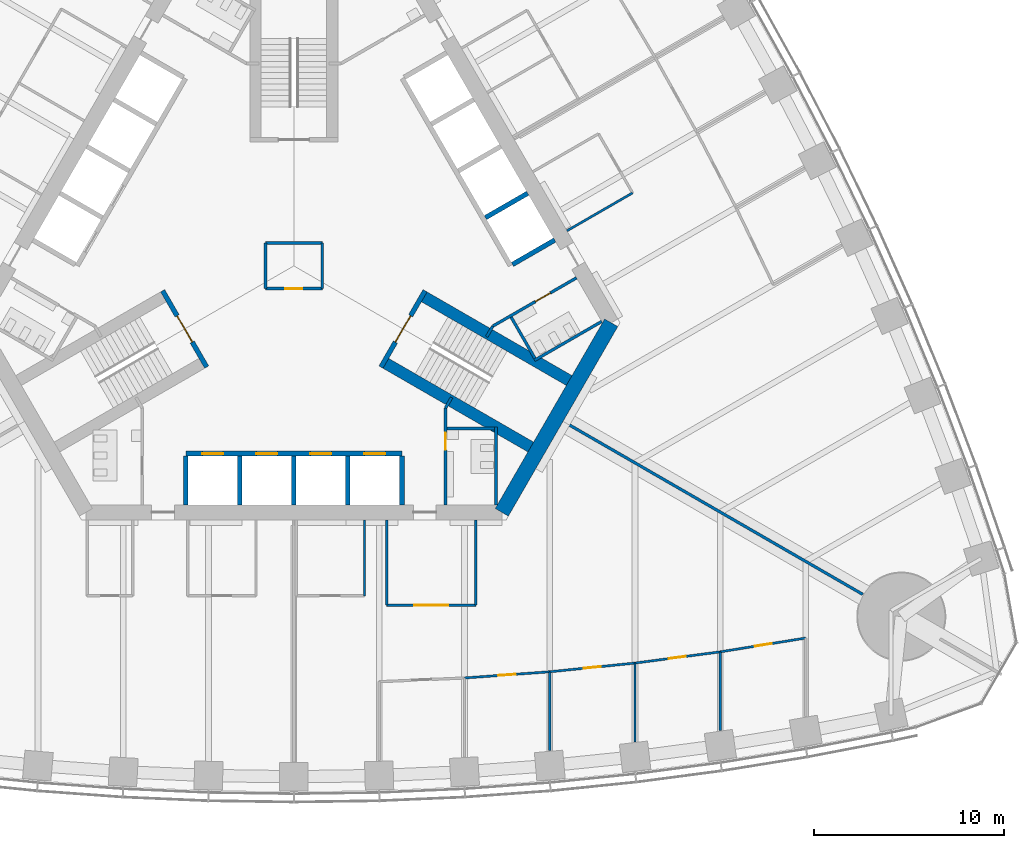
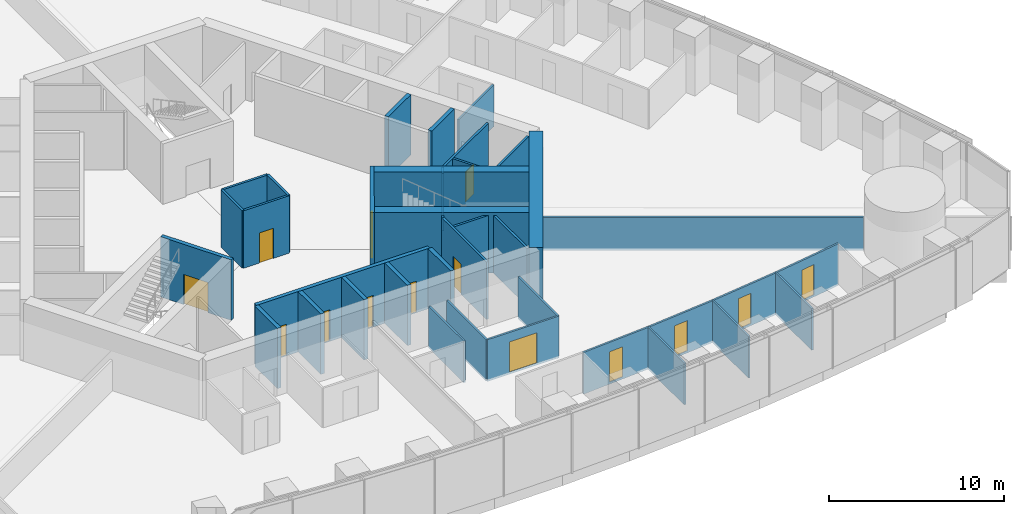
# One storey, part 11 of 19: 38 walls, 14 doors, 14 openings.
"""IFC4 building model written with IfcOpenShell, lengths in metres."""

import ifcopenshell
import ifcopenshell.guid

model = None  # the IFC model being written
_history = None  # IfcOwnerHistory: only IFC2X3 demands one
_inside = {}  # id of a spatial element -> (the spatial element, [elements in it])
_under = {}  # id of a project, library or spatial element -> (it, [spatial elements below it])
_declared = {}  # id of a project -> (the project, [libraries it declares])
_typed = {}  # id of a type object -> (the type object, [elements of that type])
_made_of = {}  # id of a material, layer set ... -> (it, [elements and type objects made of it])


def new_model(schema):
    """Start an empty IFC model of exactly this schema.

    Asked for "IFC4X3", IfcOpenShell would pick the latest addendum, in which some entities
    have other attributes; the version numbers below select the first issue.
    IFC2X3 requires an IfcOwnerHistory on every rooted entity: one is made here for all.
    """
    global model, _history
    if schema == "IFC4X3":
        model = ifcopenshell.file(schema_version=(4, 3, 0, 0))
    else:
        model = ifcopenshell.file(schema=schema)
    _inside.clear()
    _under.clear()
    _declared.clear()
    _typed.clear()
    _made_of.clear()
    _history = None
    if model.schema == "IFC2X3":
        org = make("IfcOrganization", Name="unknown")
        user = make(
            "IfcPersonAndOrganization",
            ThePerson=make("IfcPerson", FamilyName="unknown"),
            TheOrganization=org,
        )
        app = make(
            "IfcApplication",
            ApplicationDeveloper=org,
            Version="unknown",
            ApplicationFullName="unknown",
            ApplicationIdentifier="unknown",
        )
        _history = make(
            "IfcOwnerHistory",
            OwningUser=user,
            OwningApplication=app,
            ChangeAction="ADDED",
            CreationDate=0,
        )
    return model


def make(cls, **values):
    """One entity of the class cls with the attributes given. An attribute that is None is left unset."""
    return model.create_entity(
        cls, **{name: value for name, value in values.items() if value is not None}
    )


def rooted(cls, **values):
    """An entity with a GlobalId (a new one), such as an element, a storey or a relation."""
    return make(cls, GlobalId=ifcopenshell.guid.new(), OwnerHistory=_history, **values)


def si_unit(unit_type, name, prefix=None):
    """IfcSIUnit, for example si_unit("LENGTHUNIT", "METRE", prefix="MILLI")."""
    return make("IfcSIUnit", UnitType=unit_type, Prefix=prefix, Name=name)


def assignment(units):
    """IfcUnitAssignment: the units of a project."""
    return None if units is None else make("IfcUnitAssignment", Units=units)


def point(xyz):
    """IfcCartesianPoint."""
    return None if xyz is None else make("IfcCartesianPoint", Coordinates=xyz)


def direction(xyz):
    """IfcDirection."""
    return None if xyz is None else make("IfcDirection", DirectionRatios=xyz)


def frame(location, z_axis=None, x_axis=None):
    """IfcAxis2Placement3D, a coordinate frame: its origin and axes. An axis left out is left unset."""
    return make(
        "IfcAxis2Placement3D",
        Location=point(location),
        Axis=direction(z_axis),
        RefDirection=direction(x_axis),
    )


def frame_2d(location, x_axis=None):
    """IfcAxis2Placement2D, a coordinate frame in the plane: its origin and x axis."""
    return make(
        "IfcAxis2Placement2D", Location=point(location), RefDirection=direction(x_axis)
    )


def origin():
    """The frame at (0, 0, 0) with its axes left unset."""
    return frame((0.0, 0.0, 0.0))


def place(relative_to, where):
    """IfcLocalPlacement: puts the frame where relative to a parent placement (None: the world)."""
    return make(
        "IfcLocalPlacement", PlacementRelTo=relative_to, RelativePlacement=where
    )


def context(
    kind, dimensions, precision=None, world=None, true_north=None, identifier=None
):
    """IfcGeometricRepresentationContext, for example the 3D "Model" context."""
    return make(
        "IfcGeometricRepresentationContext",
        ContextIdentifier=identifier,
        ContextType=kind,
        CoordinateSpaceDimension=dimensions,
        Precision=precision,
        WorldCoordinateSystem=world,
        TrueNorth=true_north,
    )


def subcontext(parent, identifier, kind, view, scale=None):
    """IfcGeometricRepresentationSubContext, for example "Body" below "Model"."""
    return make(
        "IfcGeometricRepresentationSubContext",
        ContextIdentifier=identifier,
        ContextType=kind,
        ParentContext=parent,
        TargetScale=scale,
        TargetView=view,
    )


def project(units=None, contexts=None):
    """IfcProject with its units and contexts."""
    return rooted(
        "IfcProject",
        Name="project",
        RepresentationContexts=contexts,
        UnitsInContext=assignment(units),
    )


def spatial(cls, under=None, at=None, **own):
    """A site, building, storey or space (cls), placed at a placement, below another one or the project."""
    s = rooted(cls, ObjectPlacement=at, **own)
    if under is not None:
        _under.setdefault(under.id(), (under, []))[1].append(s)
    return s


def profile(cls, at=None, kind="AREA", **sizes):
    """A parametric profile (cls). Its sizes go by their IFC names, for example OverallWidth=200.0."""
    return make(cls, ProfileType=kind, Position=at, **sizes)


def rectangle(**sizes):
    """IfcRectangleProfileDef."""
    return profile("IfcRectangleProfileDef", **sizes)


def extrude(swept, where, along, depth):
    """IfcExtrudedAreaSolid: the profile swept, set in the frame where, extruded along a direction by depth."""
    return make(
        "IfcExtrudedAreaSolid",
        SweptArea=swept,
        Position=where,
        ExtrudedDirection=direction(along),
        Depth=depth,
    )


def shape(context_of_items, identifier, shape_type, items):
    """IfcShapeRepresentation: the items that make up one representation, for example the "Body"."""
    return make(
        "IfcShapeRepresentation",
        ContextOfItems=context_of_items,
        RepresentationIdentifier=identifier,
        RepresentationType=shape_type,
        Items=items,
    )


def material(Name=None, Category=None):
    """IfcMaterial."""
    return make("IfcMaterial", Name=Name, Category=Category)


def layer(
    of_material, thickness, ventilated=None, Name=None, Category=None, Priority=None
):
    """IfcMaterialLayer: one layer of a wall or slab, of a material (None: an air gap)."""
    return make(
        "IfcMaterialLayer",
        Material=of_material,
        LayerThickness=thickness,
        IsVentilated=ventilated,
        Name=Name,
        Category=Category,
        Priority=Priority,
    )


def layer_set(layers, Name=None):
    """IfcMaterialLayerSet."""
    return make("IfcMaterialLayerSet", MaterialLayers=layers, LayerSetName=Name)


def made_of(thing, what):
    """Note that an element or type object is made of a material, layer set ...; save() writes the relation."""
    if what is not None:
        _made_of.setdefault(what.id(), (what, []))[1].append(thing)
    return thing


def type_object(cls, material=None, **own):
    """A type object (cls), such as IfcWallType, which elements share."""
    return made_of(rooted(cls, **own), material)


def element(
    cls,
    number,
    at=None,
    inside=None,
    cuts=None,
    type_object=None,
    material=None,
    context=None,
    identifier="Body",
    shape_type=None,
    held_by="IfcProductDefinitionShape",
    body=None,
    shapes=None,
    **own,
):
    """One element of the class cls, such as IfcWall. Its Tag is "e" and its number.

    at: its placement. inside: the storey or other place that contains it. cuts: it is an
    opening in that element (IfcRelVoidsElement). A single representation is given by context,
    identifier, shape_type and body (its items); several are given by shapes. held_by: the class
    of the entity that holds the representations. save() writes the other relations.
    """
    e = rooted(cls, Tag="e%d" % number, ObjectPlacement=at, **own)
    if body is not None:
        shapes = [shape(context, identifier, shape_type, body)]
    if shapes is not None:
        e.Representation = make(held_by, Representations=shapes)
    if inside is not None:
        _inside.setdefault(inside.id(), (inside, []))[1].append(e)
    if cuts is not None:
        rooted(
            "IfcRelVoidsElement", RelatingBuildingElement=cuts, RelatedOpeningElement=e
        )
    if type_object is not None:
        _typed.setdefault(type_object.id(), (type_object, []))[1].append(e)
    return made_of(e, material)


def fill(opening, filler):
    """IfcRelFillsElement: the door or window that sits in an opening."""
    return rooted(
        "IfcRelFillsElement",
        RelatingOpeningElement=opening,
        RelatedBuildingElement=filler,
    )


def aggregate(whole, parts):
    """IfcRelAggregates: a whole, such as a stair, and the parts it consists of."""
    return rooted("IfcRelAggregates", RelatingObject=whole, RelatedObjects=parts)


def save(model, path):
    """Write the relations noted so far, then the file.

    IfcRelAggregates (storeys below a building ...), IfcRelContainedInSpatialStructure (elements
    in a storey), IfcRelDefinesByType, IfcRelAssociatesMaterial and IfcRelDeclares: one each for
    every whole, place, type object, material and project.
    """
    for whole, parts in _under.values():
        aggregate(whole, parts)
    for where, things in _inside.values():
        rooted(
            "IfcRelContainedInSpatialStructure",
            RelatedElements=things,
            RelatingStructure=where,
        )
    for kind, things in _typed.values():
        rooted("IfcRelDefinesByType", RelatedObjects=things, RelatingType=kind)
    for what, things in _made_of.values():
        rooted("IfcRelAssociatesMaterial", RelatedObjects=things, RelatingMaterial=what)
    for by, libraries in _declared.values():
        rooted("IfcRelDeclares", RelatingContext=by, RelatedDefinitions=libraries)
    model.write(path)


model = new_model("IFC4")

# Units and contexts
model_context = context("Model", 3, precision=1e-05, world=origin(), true_north=direction((0.0, 1.0)))
body_context = subcontext(model_context, "Body", "Model", "MODEL_VIEW")
ifc_project = project(units=[si_unit("LENGTHUNIT", "METRE"), si_unit("AREAUNIT", "SQUARE_METRE"), si_unit("VOLUMEUNIT", "CUBIC_METRE"), si_unit("PLANEANGLEUNIT", "RADIAN"), si_unit("MASSUNIT", "GRAM", prefix="KILO")], contexts=[model_context])

# Site, building, storey
site_placement = place(None, origin())
site = spatial("IfcSite", under=ifc_project, at=site_placement, CompositionType="ELEMENT")
building_placement = place(site_placement, origin())
building = spatial("IfcBuilding", under=site, at=building_placement, Name="Trefoil Bronze Tower", CompositionType="ELEMENT")
storey_placement = place(building_placement, frame((0.0, 0.0, 45.89990234375)))
storey = spatial("IfcBuildingStorey", under=building, at=storey_placement, Name="L10", CompositionType="ELEMENT", Elevation=45.89990234375)

# Wall
ifc_material_1 = material(Name="Concrete B80", Category="concrete")
ifc_layer_1 = layer(ifc_material_1, 0.800048828125)
ifc_layer_set_1 = layer_set([ifc_layer_1], Name="Core wall 800")
wall_type_1 = type_object("IfcWallType", Name="Core wall 800", PredefinedType="SHEAR", material=ifc_layer_set_1)
wall_1_placement = place(storey_placement, frame((10.9697265625, -13.0, 0.0), z_axis=(0.0, 0.0, 1.0), x_axis=(0.499995765644, 0.866027848477, 0.0)))
element("IfcWall", 1, at=wall_1_placement, inside=storey, type_object=wall_type_1, Name="Core short wall 1 L10", PredefinedType="SHEAR", context=body_context, shape_type="SweptSolid", body=[
    extrude(rectangle(XDim=11.546875, YDim=0.800048828125, at=frame_2d((5.7734375, 0.0))), origin(), (0.0, 0.0, 1.0), 4.2001953125),
])

# Wall, opening, door
ifc_material_2 = material(Name="Glazed partition", Category="glass")
ifc_layer_2 = layer(ifc_material_2, 0.1201171875)
ifc_layer_set_2 = layer_set([ifc_layer_2], Name="Glazed partition 120")
wall_type_2 = type_object("IfcWallType", Name="Glazed partition 120", PredefinedType="PARTITIONING", material=ifc_layer_set_2)
wall_2_placement = place(storey_placement, frame((4.89990234375, -17.89990234375, 0.0), z_axis=(0.0, 0.0, 1.0), x_axis=(1.0, 0.0, 0.0)))
wall_2 = element("IfcWall", 2, at=wall_2_placement, inside=storey, type_object=wall_type_2, Name="Partition F1 L10", PredefinedType="PARTITIONING", context=body_context, shape_type="SweptSolid", body=[
    extrude(rectangle(XDim=4.7001953125, YDim=0.1201171875, at=frame_2d((2.35009765625, 0.0))), origin(), (0.0, 0.0, 1.0), 2.900146484375),
])
opening_1_placement = place(wall_2_placement, frame((1.449951171875, 0.0, 0.14990234375)))
opening_1 = element("IfcOpeningElement", 3, at=opening_1_placement, cuts=wall_2, Name="Opening D10", PredefinedType="OPENING", context=body_context, shape_type="SweptSolid", body=[
    extrude(rectangle(XDim=1.800048828125, YDim=2.10009765625, at=frame_2d((0.89990234375, 1.050048828125))), frame((0.0, 0.070068359375, 0.0), z_axis=(0.0, -1.0, 0.0), x_axis=(1.0, 0.0, 0.0)), (0.0, 0.0, 1.0), 0.14013671875),
])
ifc_material_3 = material(Name="Timber door", Category="wood")
door_type_1 = type_object("IfcDoorType", Name="Double door 1800", OperationType="DOUBLE_DOOR_SINGLE_SWING", PredefinedType="DOOR", material=ifc_material_3)
door_1_placement = place(opening_1_placement, origin())
door_1 = element("IfcDoor", 4, at=door_1_placement, inside=storey, type_object=door_type_1, Name="Reception door F1 L10", OperationType="DOUBLE_DOOR_SINGLE_SWING", OverallHeight=2.10009765625, OverallWidth=1.800048828125, PredefinedType="DOOR", context=body_context, shape_type="SweptSolid", body=[
    extrude(rectangle(XDim=1.800048828125, YDim=2.10009765625, at=frame_2d((0.89990234375, 1.050048828125))), frame((0.0, 0.02490234375, 0.0), z_axis=(0.0, -1.0, 0.0), x_axis=(1.0, 0.0, 0.0)), (0.0, 0.0, 1.0), 0.050048828125),
])
fill(opening_1, door_1)

# Walls
wall_3_placement = place(storey_placement, frame((3.72509765625, -13.39990234375, 0.0), z_axis=(0.0, 0.0, 1.0), x_axis=(0.0, -1.0, 0.0)))
element("IfcWall", 5, at=wall_3_placement, inside=storey, type_object=wall_type_2, Name="Partition F1 L10", PredefinedType="PARTITIONING", context=body_context, shape_type="SweptSolid", body=[
    extrude(rectangle(XDim=4.0, YDim=0.1201171875, at=frame_2d((2.0, 0.0))), origin(), (0.0, 0.0, 1.0), 2.900146484375),
])
for number, where, z_axis, x_axis, name in (
    (6, (4.89990234375, -13.39990234375, 0.0), (0.0, 0.0, 1.0), (0.0, -1.0, 0.0), "Partition F1 L10"),
    (7, (9.60009765625, -13.39990234375, 0.0), (0.0, 0.0, 1.0), (0.0, -1.0, 0.0), "Partition F1 L10"),
):
    element("IfcWall", number, at=place(storey_placement, frame(where, z_axis=z_axis, x_axis=x_axis)), inside=storey, type_object=wall_type_2, Name=name, PredefinedType="PARTITIONING", context=body_context, shape_type="SweptSolid", body=[
        extrude(rectangle(XDim=4.5, YDim=0.1201171875, at=frame_2d((2.25, 0.0))), origin(), (0.0, 0.0, 1.0), 2.900146484375),
    ])

# Wall, opening, door
wall_4_placement = place(storey_placement, frame((13.5, -21.409912109375, 0.0), z_axis=(0.0, 0.0, 1.0), x_axis=(0.994833141332, 0.101523499286, 0.0)))
wall_4 = element("IfcWall", 8, at=wall_4_placement, inside=storey, type_object=wall_type_2, Name="Partition F1 L10", PredefinedType="PARTITIONING", context=body_context, shape_type="SweptSolid", body=[
    extrude(rectangle(XDim=4.5234375, YDim=0.1201171875, at=frame_2d((2.26171875, 0.0))), origin(), (0.0, 0.0, 1.0), 2.900146484375),
])
opening_2_placement = place(wall_4_placement, frame((1.800048828125, 0.0, 0.14990234375)))
opening_2 = element("IfcOpeningElement", 9, at=opening_2_placement, cuts=wall_4, Name="Opening D8", PredefinedType="OPENING", context=body_context, shape_type="SweptSolid", body=[
    extrude(rectangle(XDim=0.89990234375, YDim=2.10009765625, at=frame_2d((0.449951171875, 1.050048828125))), frame((0.0, 0.070068359375, 0.0), z_axis=(0.0, -1.0, 0.0), x_axis=(1.0, 0.0, 0.0)), (0.0, 0.0, 1.0), 0.14013671875),
])
ifc_material_4 = material(Name="Timber door", Category="wood")
door_type_2 = type_object("IfcDoorType", Name="Office door 900", OperationType="SINGLE_SWING_LEFT", PredefinedType="DOOR", material=ifc_material_4)
door_2_placement = place(opening_2_placement, frame((0.89990234375, 0.0, 0.0), z_axis=(0.0, 0.0, 1.0), x_axis=(-1.0, 0.0, 0.0)))
door_2 = element("IfcDoor", 10, at=door_2_placement, inside=storey, type_object=door_type_2, Name="Office door F1 L10", OperationType="SINGLE_SWING_RIGHT", OverallHeight=2.10009765625, OverallWidth=0.89990234375, PredefinedType="DOOR", context=body_context, shape_type="SweptSolid", body=[
    extrude(rectangle(XDim=0.89990234375, YDim=2.10009765625, at=frame_2d((0.449951171875, 1.050048828125))), frame((0.0, 0.02490234375, 0.0), z_axis=(0.0, -1.0, 0.0), x_axis=(1.0, 0.0, 0.0)), (0.0, 0.0, 1.0), 0.050048828125),
])
fill(opening_2, door_2)

wall_5_placement = place(storey_placement, frame((18.0, -20.95068359375, 0.0), z_axis=(0.0, 0.0, 1.0), x_axis=(0.991435244698, 0.130599217346, 0.0)))
wall_5 = element("IfcWall", 11, at=wall_5_placement, inside=storey, type_object=wall_type_2, Name="Partition F1 L10", PredefinedType="PARTITIONING", context=body_context, shape_type="SweptSolid", body=[
    extrude(rectangle(XDim=4.538818359375, YDim=0.1201171875, at=frame_2d((2.26953125, 0.0))), origin(), (0.0, 0.0, 1.0), 2.900146484375),
])
opening_3_placement = place(wall_5_placement, frame((1.800048828125, 0.0, 0.14990234375)))
opening_3 = element("IfcOpeningElement", 12, at=opening_3_placement, cuts=wall_5, Name="Opening D8", PredefinedType="OPENING", context=body_context, shape_type="SweptSolid", body=[
    extrude(rectangle(XDim=0.89990234375, YDim=2.10009765625, at=frame_2d((0.449951171875, 1.050048828125))), frame((0.0, 0.070068359375, 0.0), z_axis=(0.0, -1.0, 0.0), x_axis=(1.0, 0.0, 0.0)), (0.0, 0.0, 1.0), 0.14013671875),
])
door_3_placement = place(opening_3_placement, frame((0.89990234375, 0.0, 0.0), z_axis=(0.0, 0.0, 1.0), x_axis=(-1.0, 0.0, 0.0)))
door_3 = element("IfcDoor", 13, at=door_3_placement, inside=storey, type_object=door_type_2, Name="Office door F1 L10", OperationType="SINGLE_SWING_RIGHT", OverallHeight=2.10009765625, OverallWidth=0.89990234375, PredefinedType="DOOR", context=body_context, shape_type="SweptSolid", body=[
    extrude(rectangle(XDim=0.89990234375, YDim=2.10009765625, at=frame_2d((0.449951171875, 1.050048828125))), frame((0.0, 0.02490234375, 0.0), z_axis=(0.0, -1.0, 0.0), x_axis=(1.0, 0.0, 0.0)), (0.0, 0.0, 1.0), 0.050048828125),
])
fill(opening_3, door_3)

wall_6_placement = place(storey_placement, frame((22.5, -20.35791015625, 0.0), z_axis=(0.0, 0.0, 1.0), x_axis=(0.987181300889, 0.159602879593, 0.0)))
wall_6 = element("IfcWall", 14, at=wall_6_placement, inside=storey, type_object=wall_type_2, Name="Partition F1 L10", PredefinedType="PARTITIONING", context=body_context, shape_type="SweptSolid", body=[
    extrude(rectangle(XDim=4.558349609375, YDim=0.1201171875, at=frame_2d((2.279296875, 0.0))), origin(), (0.0, 0.0, 1.0), 2.900146484375),
])
opening_4_placement = place(wall_6_placement, frame((1.85009765625, 0.0, 0.14990234375)))
opening_4 = element("IfcOpeningElement", 15, at=opening_4_placement, cuts=wall_6, Name="Opening D8", PredefinedType="OPENING", context=body_context, shape_type="SweptSolid", body=[
    extrude(rectangle(XDim=0.89990234375, YDim=2.10009765625, at=frame_2d((0.449951171875, 1.050048828125))), frame((0.0, 0.070068359375, 0.0), z_axis=(0.0, -1.0, 0.0), x_axis=(1.0, 0.0, 0.0)), (0.0, 0.0, 1.0), 0.14013671875),
])
door_4_placement = place(opening_4_placement, frame((0.89990234375, 0.0, 0.0), z_axis=(0.0, 0.0, 1.0), x_axis=(-1.0, 0.0, 0.0)))
door_4 = element("IfcDoor", 16, at=door_4_placement, inside=storey, type_object=door_type_2, Name="Office door F1 L10", OperationType="SINGLE_SWING_LEFT", OverallHeight=2.10009765625, OverallWidth=0.89990234375, PredefinedType="DOOR", context=body_context, shape_type="SweptSolid", body=[
    extrude(rectangle(XDim=0.89990234375, YDim=2.10009765625, at=frame_2d((0.449951171875, 1.050048828125))), frame((0.0, 0.02490234375, 0.0), z_axis=(0.0, -1.0, 0.0), x_axis=(1.0, 0.0, 0.0)), (0.0, 0.0, 1.0), 0.050048828125),
])
fill(opening_4, door_4)

wall_7_placement = place(storey_placement, frame((9.0, -21.7373046875, 0.0), z_axis=(0.0, 0.0, 1.0), x_axis=(0.997363894896, 0.072562119306, 0.0)))
wall_7 = element("IfcWall", 17, at=wall_7_placement, inside=storey, type_object=wall_type_2, Name="Partition F1 L10", PredefinedType="PARTITIONING", context=body_context, shape_type="SweptSolid", body=[
    extrude(rectangle(XDim=4.511962890625, YDim=0.1201171875, at=frame_2d((2.255859375, 0.0))), origin(), (0.0, 0.0, 1.0), 2.900146484375),
])
opening_5_placement = place(wall_7_placement, frame((1.800048828125, 0.0, 0.14990234375)))
opening_5 = element("IfcOpeningElement", 18, at=opening_5_placement, cuts=wall_7, Name="Opening D8", PredefinedType="OPENING", context=body_context, shape_type="SweptSolid", body=[
    extrude(rectangle(XDim=0.89990234375, YDim=2.10009765625, at=frame_2d((0.449951171875, 1.050048828125))), frame((0.0, 0.070068359375, 0.0), z_axis=(0.0, -1.0, 0.0), x_axis=(1.0, 0.0, 0.0)), (0.0, 0.0, 1.0), 0.14013671875),
])
door_5_placement = place(opening_5_placement, frame((0.89990234375, 0.0, 0.0), z_axis=(0.0, 0.0, 1.0), x_axis=(-1.0, 0.0, 0.0)))
door_5 = element("IfcDoor", 19, at=door_5_placement, inside=storey, type_object=door_type_2, Name="Office door F1 L10", OperationType="SINGLE_SWING_RIGHT", OverallHeight=2.10009765625, OverallWidth=0.89990234375, PredefinedType="DOOR", context=body_context, shape_type="SweptSolid", body=[
    extrude(rectangle(XDim=0.89990234375, YDim=2.10009765625, at=frame_2d((0.449951171875, 1.050048828125))), frame((0.0, 0.02490234375, 0.0), z_axis=(0.0, -1.0, 0.0), x_axis=(1.0, 0.0, 0.0)), (0.0, 0.0, 1.0), 0.050048828125),
])
fill(opening_5, door_5)

# Walls
wall_8_placement = place(storey_placement, frame((13.5, -21.409912109375, 0.0), z_axis=(0.0, 0.0, 1.0), x_axis=(0.0, -1.0, 0.0)))
element("IfcWall", 20, at=wall_8_placement, inside=storey, type_object=wall_type_2, Name="Partition F1 L10", PredefinedType="PARTITIONING", context=body_context, shape_type="SweptSolid", body=[
    extrude(rectangle(XDim=4.1640625, YDim=0.1201171875, at=frame_2d((2.08203125, 0.0))), origin(), (0.0, 0.0, 1.0), 2.900146484375),
])
wall_9_placement = place(storey_placement, frame((18.0, -20.95068359375, 0.0), z_axis=(0.0, 0.0, 1.0), x_axis=(0.0, -1.0, 0.0)))
element("IfcWall", 21, at=wall_9_placement, inside=storey, type_object=wall_type_2, Name="Partition F1 L10", PredefinedType="PARTITIONING", context=body_context, shape_type="SweptSolid", body=[
    extrude(rectangle(XDim=4.1591796875, YDim=0.1201171875, at=frame_2d((2.07958984375, 0.0))), origin(), (0.0, 0.0, 1.0), 2.900146484375),
])
wall_10_placement = place(storey_placement, frame((22.5, -20.35791015625, 0.0), z_axis=(0.0, 0.0, 1.0), x_axis=(0.0, -1.0, 0.0)))
element("IfcWall", 22, at=wall_10_placement, inside=storey, type_object=wall_type_2, Name="Partition F1 L10", PredefinedType="PARTITIONING", context=body_context, shape_type="SweptSolid", body=[
    extrude(rectangle(XDim=4.1533203125, YDim=0.1201171875, at=frame_2d((2.07666015625, 0.0))), origin(), (0.0, 0.0, 1.0), 2.900146484375),
])
wall_11_placement = place(storey_placement, frame((14.40478515625, 1.850341796875, 0.0), z_axis=(0.0, 0.0, 1.0), x_axis=(0.866026010844, 0.49999894854, 0.0)))
element("IfcWall", 23, at=wall_11_placement, inside=storey, type_object=wall_type_2, Name="Partition F2 L10", PredefinedType="PARTITIONING", context=body_context, shape_type="SweptSolid", body=[
    extrude(rectangle(XDim=4.0, YDim=0.1201171875, at=frame_2d((2.0, 0.0))), origin(), (0.0, 0.0, 1.0), 2.900146484375),
])

# Wall, opening, door
ifc_material_5 = material(Name="Gypsum board on steel studs", Category="steel")
ifc_layer_3 = layer(ifc_material_5, 0.14990234375)
ifc_layer_set_3 = layer_set([ifc_layer_3], Name="Partition 150")
wall_type_3 = type_object("IfcWallType", Name="Partition 150", PredefinedType="PARTITIONING", material=ifc_layer_set_3)
wall_12_placement = place(storey_placement, frame((8.0, -7.5, 0.0), z_axis=(0.0, 0.0, 1.0), x_axis=(0.0, -1.0, 0.0)))
wall_12 = element("IfcWall", 24, at=wall_12_placement, inside=storey, type_object=wall_type_3, Name="Passage wall F1+ L10", PredefinedType="PARTITIONING", context=body_context, shape_type="SweptSolid", body=[
    extrude(rectangle(XDim=5.10009765625, YDim=0.14990234375, at=frame_2d((2.550048828125, 0.0))), origin(), (0.0, 0.0, 1.0), 4.0),
])
opening_6_placement = place(wall_12_placement, frame((1.300048828125, 0.0, 0.0)))
opening_6 = element("IfcOpeningElement", 25, at=opening_6_placement, cuts=wall_12, Name="Opening D3", PredefinedType="OPENING", context=body_context, shape_type="SweptSolid", body=[
    extrude(rectangle(XDim=0.89990234375, YDim=2.10009765625, at=frame_2d((0.449951171875, 1.050048828125))), frame((0.0, 0.0849609375, 0.0), z_axis=(0.0, -1.0, 0.0), x_axis=(1.0, 0.0, 0.0)), (0.0, 0.0, 1.0), 0.169921875),
])
ifc_material_6 = material(Name="Timber door", Category="wood")
door_type_3 = type_object("IfcDoorType", Name="WC door 900", OperationType="SINGLE_SWING_LEFT", PredefinedType="DOOR", material=ifc_material_6)
door_6_placement = place(opening_6_placement, origin())
door_6 = element("IfcDoor", 26, at=door_6_placement, inside=storey, type_object=door_type_3, Name="WC (men) door L10", OperationType="SINGLE_SWING_LEFT", OverallHeight=2.10009765625, OverallWidth=0.89990234375, PredefinedType="DOOR", context=body_context, shape_type="SweptSolid", body=[
    extrude(rectangle(XDim=0.89990234375, YDim=2.10009765625, at=frame_2d((0.449951171875, 1.050048828125))), frame((0.0, 0.02490234375, 0.0), z_axis=(0.0, -1.0, 0.0), x_axis=(1.0, 0.0, 0.0)), (0.0, 0.0, 1.0), 0.050048828125),
])
fill(opening_6, door_6)

wall_13_placement = place(storey_placement, frame((10.4951171875, -3.17822265625, 0.0), z_axis=(0.0, 0.0, 1.0), x_axis=(0.86602216432, 0.500005610874, 0.0)))
wall_13 = element("IfcWall", 27, at=wall_13_placement, inside=storey, type_object=wall_type_3, Name="Passage wall F2- L10", PredefinedType="PARTITIONING", context=body_context, shape_type="SweptSolid", body=[
    extrude(rectangle(XDim=5.10009765625, YDim=0.14990234375, at=frame_2d((2.550048828125, 0.0))), origin(), (0.0, 0.0, 1.0), 4.0),
])
opening_7_placement = place(wall_13_placement, frame((2.60009765625, 0.0, 0.0)))
opening_7 = element("IfcOpeningElement", 28, at=opening_7_placement, cuts=wall_13, Name="Opening D3", PredefinedType="OPENING", context=body_context, shape_type="SweptSolid", body=[
    extrude(rectangle(XDim=0.89990234375, YDim=2.10009765625, at=frame_2d((0.449951171875, 1.050048828125))), frame((0.0, 0.0849609375, 0.0), z_axis=(0.0, -1.0, 0.0), x_axis=(1.0, 0.0, 0.0)), (0.0, 0.0, 1.0), 0.169921875),
])
door_7_placement = place(opening_7_placement, frame((0.89990234375, 0.0, 0.0), z_axis=(0.0, 0.0, 1.0), x_axis=(-1.0, 0.0, 0.0)))
door_7 = element("IfcDoor", 29, at=door_7_placement, inside=storey, type_object=door_type_3, Name="WC (women) door L10", OperationType="SINGLE_SWING_RIGHT", OverallHeight=2.10009765625, OverallWidth=0.89990234375, PredefinedType="DOOR", context=body_context, shape_type="SweptSolid", body=[
    extrude(rectangle(XDim=0.89990234375, YDim=2.10009765625, at=frame_2d((0.449951171875, 1.050048828125))), frame((0.0, 0.02490234375, 0.0), z_axis=(0.0, -1.0, 0.0), x_axis=(1.0, 0.0, 0.0)), (0.0, 0.0, 1.0), 0.050048828125),
])
fill(opening_7, door_7)

# Walls
for number, where, z_axis, x_axis, name in (
    (30, (8.0, -7.5, 0.0), (0.0, 0.0, 1.0), (0.499842556608, 0.866116284689, 0.0), "WC wall ST1-1 L10"),
    (31, (10.4951171875, -3.17822265625, 0.0), (0.0, 0.0, 1.0), (-0.499842556608, -0.866116284689, 0.0), "WC wall ST1+1 L10"),
):
    element("IfcWall", number, at=place(storey_placement, frame(where, z_axis=z_axis, x_axis=x_axis)), inside=storey, type_object=wall_type_3, Name=name, PredefinedType="PARTITIONING", context=body_context, shape_type="SweptSolid", body=[
        extrude(rectangle(XDim=0.645263671875, YDim=0.14990234375, at=frame_2d((0.32275390625, 0.0))), origin(), (0.0, 0.0, 1.0), 4.0),
    ])
wall_14_placement = place(storey_placement, frame((10.659912109375, -8.5, 0.0), z_axis=(0.0, 0.0, 1.0), x_axis=(0.0, -1.0, 0.0)))
element("IfcWall", 32, at=wall_14_placement, inside=storey, type_object=wall_type_3, Name="WC partition WC (men) L10", PredefinedType="PARTITIONING", context=body_context, shape_type="SweptSolid", body=[
    extrude(rectangle(XDim=4.10009765625, YDim=0.14990234375, at=frame_2d((2.050048828125, 0.0))), origin(), (0.0, 0.0, 1.0), 4.0),
])
wall_15_placement = place(storey_placement, frame((8.074951171875, -8.574951171875, 0.0), z_axis=(0.0, 0.0, 1.0), x_axis=(1.0, 0.0, 0.0)))
element("IfcWall", 33, at=wall_15_placement, inside=storey, type_object=wall_type_3, Name="WC partition WC (men) L10", PredefinedType="PARTITIONING", context=body_context, shape_type="SweptSolid", body=[
    extrude(rectangle(XDim=2.510009765625, YDim=0.14990234375, at=frame_2d((1.2548828125, 0.0))), origin(), (0.0, 0.0, 1.0), 4.0),
])
wall_16_placement = place(storey_placement, frame((12.691162109375, -4.98193359375, 0.0), z_axis=(0.0, 0.0, 1.0), x_axis=(0.8660249478, 0.500000789788, 0.0)))
element("IfcWall", 34, at=wall_16_placement, inside=storey, type_object=wall_type_3, Name="WC partition WC (women) L10", PredefinedType="PARTITIONING", context=body_context, shape_type="SweptSolid", body=[
    extrude(rectangle(XDim=4.10009765625, YDim=0.14990234375, at=frame_2d((2.050048828125, 0.0))), origin(), (0.0, 0.0, 1.0), 4.0),
])
wall_17_placement = place(storey_placement, frame((11.463623046875, -2.70556640625, 0.0), z_axis=(0.0, 0.0, 1.0), x_axis=(0.50001992892, -0.866013897511, 0.0)))
element("IfcWall", 35, at=wall_17_placement, inside=storey, type_object=wall_type_3, Name="WC partition WC (women) L10", PredefinedType="PARTITIONING", context=body_context, shape_type="SweptSolid", body=[
    extrude(rectangle(XDim=2.51025390625, YDim=0.14990234375, at=frame_2d((1.255126953125, 0.0))), origin(), (0.0, 0.0, 1.0), 4.0),
])
ifc_material_7 = material(Name="Gypsum board on steel studs", Category="steel")
ifc_layer_4 = layer(ifc_material_7, 0.14990234375)
ifc_layer_set_4 = layer_set([ifc_layer_4], Name="Party wall 150")
wall_type_4 = type_object("IfcWallType", Name="Party wall 150", PredefinedType="PARTITIONING", material=ifc_layer_set_4)
wall_18_placement = place(storey_placement, frame((14.202880859375, -8.199951171875, 0.0), z_axis=(0.0, 0.0, 1.0), x_axis=(0.866024965723, -0.500000758745, 0.0)))
element("IfcWall", 36, at=wall_18_placement, inside=storey, type_object=wall_type_4, Name="Party wall K1 L10", PredefinedType="PARTITIONING", context=body_context, shape_type="SweptSolid", body=[
    extrude(rectangle(XDim=18.25, YDim=0.14990234375, at=frame_2d((9.125, 0.0))), origin(), (0.0, 0.0, 1.0), 2.300048828125),
])

# Wall, opening, door
ifc_material_8 = material(Name="Gypsum board on steel studs", Category="steel")
ifc_layer_5 = layer(ifc_material_8, 0.14990234375)
ifc_layer_set_5 = layer_set([ifc_layer_5], Name="Riser wall 150")
wall_type_5 = type_object("IfcWallType", Name="Riser wall 150", PredefinedType="PARTITIONING", material=ifc_layer_set_5)
wall_19_placement = place(storey_placement, frame((-1.5, -1.199951171875, 0.0), z_axis=(0.0, 0.0, 1.0), x_axis=(1.0, 0.0, 0.0)))
wall_19 = element("IfcWall", 37, at=wall_19_placement, inside=storey, type_object=wall_type_5, Name="Riser wall L10", PredefinedType="PARTITIONING", context=body_context, shape_type="SweptSolid", body=[
    extrude(rectangle(XDim=3.0, YDim=0.14990234375, at=frame_2d((1.5, 0.0))), origin(), (0.0, 0.0, 1.0), 4.0),
])
opening_8_placement = place(wall_19_placement, frame((1.050048828125, 0.0, 0.0)))
opening_8 = element("IfcOpeningElement", 38, at=opening_8_placement, cuts=wall_19, Name="Opening D4", PredefinedType="OPENING", context=body_context, shape_type="SweptSolid", body=[
    extrude(rectangle(XDim=0.89990234375, YDim=2.10009765625, at=frame_2d((0.449951171875, 1.050048828125))), frame((0.0, 0.0849609375, 0.0), z_axis=(0.0, -1.0, 0.0), x_axis=(1.0, 0.0, 0.0)), (0.0, 0.0, 1.0), 0.169921875),
])
ifc_material_9 = material(Name="Steel door", Category="steel")
door_type_4 = type_object("IfcDoorType", Name="Riser door 900", OperationType="SINGLE_SWING_LEFT", PredefinedType="DOOR", material=ifc_material_9)
door_8_placement = place(opening_8_placement, frame((0.89990234375, 0.0, 0.0), z_axis=(0.0, 0.0, 1.0), x_axis=(-1.0, 0.0, 0.0)))
door_8 = element("IfcDoor", 39, at=door_8_placement, inside=storey, type_object=door_type_4, Name="Riser door L10", OperationType="SINGLE_SWING_LEFT", OverallHeight=2.10009765625, OverallWidth=0.89990234375, PredefinedType="DOOR", context=body_context, shape_type="SweptSolid", body=[
    extrude(rectangle(XDim=0.89990234375, YDim=2.10009765625, at=frame_2d((0.449951171875, 1.050048828125))), frame((0.0, 0.02490234375, 0.0), z_axis=(0.0, -1.0, 0.0), x_axis=(1.0, 0.0, 0.0)), (0.0, 0.0, 1.0), 0.050048828125),
])
fill(opening_8, door_8)

# Walls
wall_20_placement = place(storey_placement, frame((1.5, -1.199951171875, 0.0), z_axis=(0.0, 0.0, 1.0), x_axis=(0.0, 1.0, 0.0)))
element("IfcWall", 40, at=wall_20_placement, inside=storey, type_object=wall_type_5, Name="Riser wall L10", PredefinedType="PARTITIONING", context=body_context, shape_type="SweptSolid", body=[
    extrude(rectangle(XDim=2.39990234375, YDim=0.14990234375, at=frame_2d((1.199951171875, 0.0))), origin(), (0.0, 0.0, 1.0), 4.0),
])
wall_21_placement = place(storey_placement, frame((1.5, 1.199951171875, 0.0), z_axis=(0.0, 0.0, 1.0), x_axis=(-1.0, 0.0, 0.0)))
element("IfcWall", 41, at=wall_21_placement, inside=storey, type_object=wall_type_5, Name="Riser wall L10", PredefinedType="PARTITIONING", context=body_context, shape_type="SweptSolid", body=[
    extrude(rectangle(XDim=3.0, YDim=0.14990234375, at=frame_2d((1.5, 0.0))), origin(), (0.0, 0.0, 1.0), 4.0),
])
wall_22_placement = place(storey_placement, frame((-1.5, 1.199951171875, 0.0), z_axis=(0.0, 0.0, 1.0), x_axis=(0.0, -1.0, 0.0)))
element("IfcWall", 42, at=wall_22_placement, inside=storey, type_object=wall_type_5, Name="Riser wall L10", PredefinedType="PARTITIONING", context=body_context, shape_type="SweptSolid", body=[
    extrude(rectangle(XDim=2.39990234375, YDim=0.14990234375, at=frame_2d((1.199951171875, 0.0))), origin(), (0.0, 0.0, 1.0), 4.0),
])

# Wall, openings, doors
ifc_material_10 = material(Name="Concrete B80", Category="concrete")
ifc_layer_6 = layer(ifc_material_10, 0.25)
ifc_layer_set_6 = layer_set([ifc_layer_6], Name="Shaft wall 250")
wall_type_6 = type_object("IfcWallType", Name="Shaft wall 250", PredefinedType="SHEAR", material=ifc_layer_set_6)
wall_23_placement = place(storey_placement, frame((-5.699951171875, -9.89990234375, 0.0), z_axis=(0.0, 0.0, 1.0), x_axis=(1.0, 0.0, 0.0)))
wall_23 = element("IfcWall", 43, at=wall_23_placement, inside=storey, type_object=wall_type_6, Name="Lift shaft front wall A L10", PredefinedType="SHEAR", context=body_context, shape_type="SweptSolid", body=[
    extrude(rectangle(XDim=11.39990234375, YDim=0.25, at=frame_2d((5.699951171875, 0.0))), origin(), (0.0, 0.0, 1.0), 4.2001953125),
])
opening_9_placement = place(wall_23_placement, frame((0.875, 0.0, 0.0)))
opening_9 = element("IfcOpeningElement", 44, at=opening_9_placement, cuts=wall_23, Name="Opening LD-P11", PredefinedType="OPENING", context=body_context, shape_type="SweptSolid", body=[
    extrude(rectangle(XDim=1.10009765625, YDim=2.199951171875, at=frame_2d((0.550048828125, 1.10009765625))), frame((0.0, 0.135009765625, 0.0), z_axis=(0.0, -1.0, 0.0), x_axis=(1.0, 0.0, 0.0)), (0.0, 0.0, 1.0), 0.27001953125),
])
opening_10_placement = place(wall_23_placement, frame((3.72509765625, 0.0, 0.0)))
opening_10 = element("IfcOpeningElement", 45, at=opening_10_placement, cuts=wall_23, Name="Opening LD-P12", PredefinedType="OPENING", context=body_context, shape_type="SweptSolid", body=[
    extrude(rectangle(XDim=1.10009765625, YDim=2.199951171875, at=frame_2d((0.550048828125, 1.10009765625))), frame((0.0, 0.135009765625, 0.0), z_axis=(0.0, -1.0, 0.0), x_axis=(1.0, 0.0, 0.0)), (0.0, 0.0, 1.0), 0.27001953125),
])
opening_11_placement = place(wall_23_placement, frame((6.574951171875, 0.0, 0.0)))
opening_11 = element("IfcOpeningElement", 46, at=opening_11_placement, cuts=wall_23, Name="Opening LD-P13", PredefinedType="OPENING", context=body_context, shape_type="SweptSolid", body=[
    extrude(rectangle(XDim=1.10009765625, YDim=2.199951171875, at=frame_2d((0.550048828125, 1.10009765625))), frame((0.0, 0.135009765625, 0.0), z_axis=(0.0, -1.0, 0.0), x_axis=(1.0, 0.0, 0.0)), (0.0, 0.0, 1.0), 0.27001953125),
])
opening_12_placement = place(wall_23_placement, frame((9.425048828125, 0.0, 0.0)))
opening_12 = element("IfcOpeningElement", 47, at=opening_12_placement, cuts=wall_23, Name="Opening LD-P14", PredefinedType="OPENING", context=body_context, shape_type="SweptSolid", body=[
    extrude(rectangle(XDim=1.10009765625, YDim=2.199951171875, at=frame_2d((0.550048828125, 1.10009765625))), frame((0.0, 0.135009765625, 0.0), z_axis=(0.0, -1.0, 0.0), x_axis=(1.0, 0.0, 0.0)), (0.0, 0.0, 1.0), 0.27001953125),
])
ifc_material_11 = material(Name="Steel door", Category="steel")
door_type_5 = type_object("IfcDoorType", Name="Lift landing door 1100", OperationType="DOUBLE_DOOR_SLIDING", PredefinedType="DOOR", material=ifc_material_11)
door_9_placement = place(opening_9_placement, origin())
door_9 = element("IfcDoor", 48, at=door_9_placement, inside=storey, type_object=door_type_5, Name="Lift P11 landing door L10", OperationType="DOUBLE_DOOR_SLIDING", OverallHeight=2.199951171875, OverallWidth=1.10009765625, PredefinedType="DOOR", context=body_context, shape_type="SweptSolid", body=[
    extrude(rectangle(XDim=1.10009765625, YDim=2.199951171875, at=frame_2d((0.550048828125, 1.10009765625))), frame((0.0, 0.02490234375, 0.0), z_axis=(0.0, -1.0, 0.0), x_axis=(1.0, 0.0, 0.0)), (0.0, 0.0, 1.0), 0.050048828125),
])
fill(opening_9, door_9)
door_10_placement = place(opening_10_placement, origin())
door_10 = element("IfcDoor", 49, at=door_10_placement, inside=storey, type_object=door_type_5, Name="Lift P12 landing door L10", OperationType="DOUBLE_DOOR_SLIDING", OverallHeight=2.199951171875, OverallWidth=1.10009765625, PredefinedType="DOOR", context=body_context, shape_type="SweptSolid", body=[
    extrude(rectangle(XDim=1.10009765625, YDim=2.199951171875, at=frame_2d((0.550048828125, 1.10009765625))), frame((0.0, 0.02490234375, 0.0), z_axis=(0.0, -1.0, 0.0), x_axis=(1.0, 0.0, 0.0)), (0.0, 0.0, 1.0), 0.050048828125),
])
fill(opening_10, door_10)
door_11_placement = place(opening_11_placement, origin())
door_11 = element("IfcDoor", 50, at=door_11_placement, inside=storey, type_object=door_type_5, Name="Lift P13 landing door L10", OperationType="DOUBLE_DOOR_SLIDING", OverallHeight=2.199951171875, OverallWidth=1.10009765625, PredefinedType="DOOR", context=body_context, shape_type="SweptSolid", body=[
    extrude(rectangle(XDim=1.10009765625, YDim=2.199951171875, at=frame_2d((0.550048828125, 1.10009765625))), frame((0.0, 0.02490234375, 0.0), z_axis=(0.0, -1.0, 0.0), x_axis=(1.0, 0.0, 0.0)), (0.0, 0.0, 1.0), 0.050048828125),
])
fill(opening_11, door_11)
door_12_placement = place(opening_12_placement, origin())
door_12 = element("IfcDoor", 51, at=door_12_placement, inside=storey, type_object=door_type_5, Name="Lift P14 landing door L10", OperationType="DOUBLE_DOOR_SLIDING", OverallHeight=2.199951171875, OverallWidth=1.10009765625, PredefinedType="DOOR", context=body_context, shape_type="SweptSolid", body=[
    extrude(rectangle(XDim=1.10009765625, YDim=2.199951171875, at=frame_2d((0.550048828125, 1.10009765625))), frame((0.0, 0.02490234375, 0.0), z_axis=(0.0, -1.0, 0.0), x_axis=(1.0, 0.0, 0.0)), (0.0, 0.0, 1.0), 0.050048828125),
])
fill(opening_12, door_12)

# Walls
for number, where, z_axis, x_axis, name in (
    (52, (-5.699951171875, -10.02490234375, 0.0), (0.0, 0.0, 1.0), (0.0, -1.0, 0.0), "Lift shaft side wall A0 L10"),
    (53, (-2.85009765625, -10.02490234375, 0.0), (0.0, 0.0, 1.0), (0.0, -1.0, 0.0), "Lift shaft side wall A1 L10"),
    (54, (0.0, -10.02490234375, 0.0), (0.0, 0.0, 1.0), (0.0, -1.0, 0.0), "Lift shaft side wall A2 L10"),
    (55, (2.85009765625, -10.02490234375, 0.0), (0.0, 0.0, 1.0), (0.0, -1.0, 0.0), "Lift shaft side wall A3 L10"),
    (56, (5.699951171875, -10.02490234375, 0.0), (0.0, 0.0, 1.0), (0.0, -1.0, 0.0), "Lift shaft side wall A4 L10"),
):
    element("IfcWall", number, at=place(storey_placement, frame(where, z_axis=z_axis, x_axis=x_axis)), inside=storey, type_object=wall_type_6, Name=name, PredefinedType="SHEAR", context=body_context, shape_type="SweptSolid", body=[
        extrude(rectangle(XDim=2.5751953125, YDim=0.25, at=frame_2d((1.28759765625, 0.0))), origin(), (0.0, 0.0, 1.0), 4.2001953125),
    ])
for number, where, z_axis, x_axis, name in (
    (57, (11.531982421875, 0.076171875, 0.0), (0.0, 0.0, 1.0), (0.866005588531, 0.500034319456, 0.0), "Lift shaft side wall B0 L10"),
    (58, (10.10693359375, 2.54443359375, 0.0), (0.0, 0.0, 1.0), (0.866046643894, 0.499963209246, 0.0), "Lift shaft side wall B1 L10"),
):
    element("IfcWall", number, at=place(storey_placement, frame(where, z_axis=z_axis, x_axis=x_axis)), inside=storey, type_object=wall_type_6, Name=name, PredefinedType="SHEAR", context=body_context, shape_type="SweptSolid", body=[
        extrude(rectangle(XDim=2.574951171875, YDim=0.25, at=frame_2d((1.28759765625, 0.0))), origin(), (0.0, 0.0, 1.0), 4.2001953125),
    ])

# Wall, opening, door
wall_24_placement = place(storey_placement, frame((4.5966796875, -5.338623046875, 0.0), z_axis=(0.0, 0.0, 1.0), x_axis=(0.499984536904, 0.866034331223, 0.0)))
wall_24 = element("IfcWall", 59, at=wall_24_placement, inside=storey, type_object=wall_type_6, Name="Stair end wall ST1 L10", PredefinedType="SHEAR", context=body_context, shape_type="SweptSolid", body=[
    extrude(rectangle(XDim=4.650146484375, YDim=0.25, at=frame_2d((2.3251953125, 0.0))), origin(), (0.0, 0.0, 1.0), 4.2001953125),
])
opening_13_placement = place(wall_24_placement, frame((1.52490234375, 0.0, 0.0)))
opening_13 = element("IfcOpeningElement", 60, at=opening_13_placement, cuts=wall_24, Name="Opening D1", PredefinedType="OPENING", context=body_context, shape_type="SweptSolid", body=[
    extrude(rectangle(XDim=1.60009765625, YDim=2.10009765625, at=frame_2d((0.800048828125, 1.050048828125))), frame((0.0, 0.135009765625, 0.0), z_axis=(0.0, -1.0, 0.0), x_axis=(1.0, 0.0, 0.0)), (0.0, 0.0, 1.0), 0.27001953125),
])
ifc_material_12 = material(Name="Steel door", Category="steel")
door_type_6 = type_object("IfcDoorType", Name="Stair door 1600", OperationType="DOUBLE_DOOR_SINGLE_SWING", PredefinedType="DOOR", material=ifc_material_12)
door_13_placement = place(opening_13_placement, frame((1.60009765625, 0.0, 0.0), z_axis=(0.0, 0.0, 1.0), x_axis=(-1.0, 0.0, 0.0)))
door_13 = element("IfcDoor", 61, at=door_13_placement, inside=storey, type_object=door_type_6, Name="Stair door ST1 L10", OperationType="DOUBLE_DOOR_SINGLE_SWING", OverallHeight=2.10009765625, OverallWidth=1.60009765625, PredefinedType="DOOR", context=body_context, shape_type="SweptSolid", body=[
    extrude(rectangle(XDim=1.60009765625, YDim=2.10009765625, at=frame_2d((0.800048828125, 1.050048828125))), frame((0.0, 0.02490234375, 0.0), z_axis=(0.0, -1.0, 0.0), x_axis=(1.0, 0.0, 0.0)), (0.0, 0.0, 1.0), 0.050048828125),
])
fill(opening_13, door_13)

wall_25_placement = place(storey_placement, frame((-6.921630859375, -1.3115234375, 0.0), z_axis=(0.0, 0.0, 1.0), x_axis=(0.499984536904, -0.866034331223, 0.0)))
wall_25 = element("IfcWall", 62, at=wall_25_placement, inside=storey, type_object=wall_type_6, Name="Stair end wall ST3 L10", PredefinedType="SHEAR", context=body_context, shape_type="SweptSolid", body=[
    extrude(rectangle(XDim=4.650146484375, YDim=0.25, at=frame_2d((2.3251953125, 0.0))), origin(), (0.0, 0.0, 1.0), 4.2001953125),
])
opening_14_placement = place(wall_25_placement, frame((1.52490234375, 0.0, 0.0)))
opening_14 = element("IfcOpeningElement", 63, at=opening_14_placement, cuts=wall_25, Name="Opening D1", PredefinedType="OPENING", context=body_context, shape_type="SweptSolid", body=[
    extrude(rectangle(XDim=1.60009765625, YDim=2.10009765625, at=frame_2d((0.800048828125, 1.050048828125))), frame((0.0, 0.135009765625, 0.0), z_axis=(0.0, -1.0, 0.0), x_axis=(1.0, 0.0, 0.0)), (0.0, 0.0, 1.0), 0.27001953125),
])
door_14_placement = place(opening_14_placement, frame((1.60009765625, 0.0, 0.0), z_axis=(0.0, 0.0, 1.0), x_axis=(-1.0, 0.0, 0.0)))
door_14 = element("IfcDoor", 64, at=door_14_placement, inside=storey, type_object=door_type_6, Name="Stair door ST3 L10", OperationType="DOUBLE_DOOR_SINGLE_SWING", OverallHeight=2.10009765625, OverallWidth=1.60009765625, PredefinedType="DOOR", context=body_context, shape_type="SweptSolid", body=[
    extrude(rectangle(XDim=1.60009765625, YDim=2.10009765625, at=frame_2d((0.800048828125, 1.050048828125))), frame((0.0, 0.02490234375, 0.0), z_axis=(0.0, -1.0, 0.0), x_axis=(1.0, 0.0, 0.0)), (0.0, 0.0, 1.0), 0.050048828125),
])
fill(opening_14, door_14)

# Walls
ifc_material_13 = material(Name="Concrete B80", Category="concrete")
ifc_layer_7 = layer(ifc_material_13, 0.60009765625)
ifc_layer_set_7 = layer_set([ifc_layer_7], Name="Stair wall 600")
wall_type_7 = type_object("IfcWallType", Name="Stair wall 600", PredefinedType="SHEAR", material=ifc_layer_set_7)
for number, where, z_axis, x_axis, name in (
    (65, (4.638427734375, -5.01611328125, 0.0), (0.0, 0.0, 1.0), (0.866019375473, -0.500010441196, 0.0), "Stair wall ST1 L10"),
    (66, (6.663330078125, -1.5087890625, 0.0), (0.0, 0.0, 1.0), (0.866019375473, -0.500010441196, 0.0), "Stair wall ST1 L10"),
):
    element("IfcWall", number, at=place(storey_placement, frame(where, z_axis=z_axis, x_axis=x_axis)), inside=storey, type_object=wall_type_7, Name=name, PredefinedType="SHEAR", context=body_context, shape_type="SweptSolid", body=[
        extrude(rectangle(XDim=9.074951171875, YDim=0.60009765625, at=frame_2d((4.53759765625, 0.0))), origin(), (0.0, 0.0, 1.0), 4.2001953125),
    ])

save(model, "model.ifc")
